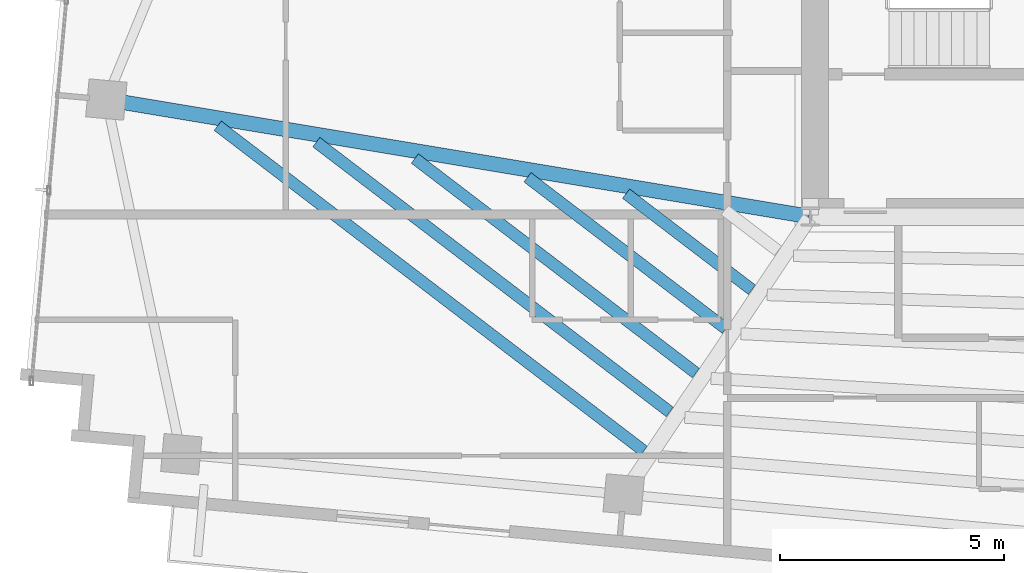
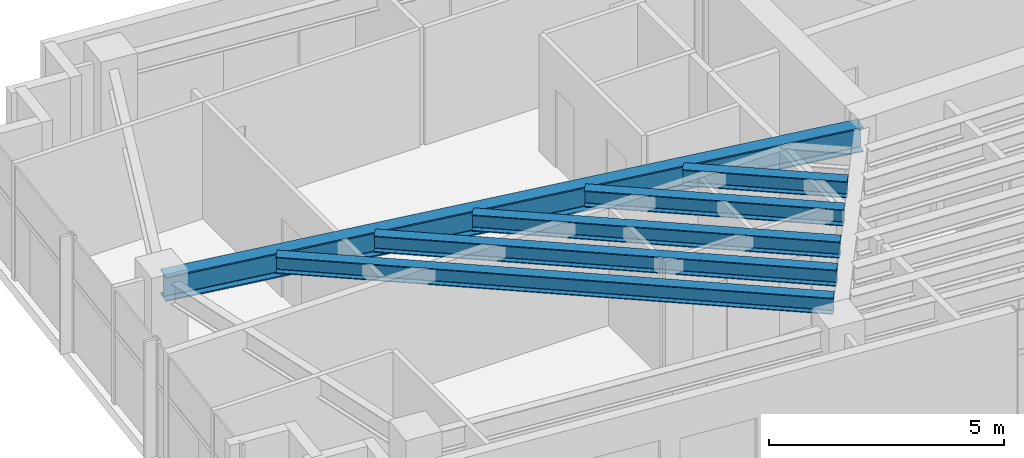
# One storey, part 5 of 22: 6 beams.
"""IFC4 building model written with IfcOpenShell, lengths in metres."""

from ifc_helpers import new_model, si_unit, direction, frame, origin, origin_2d, place, context, subcontext, project, spatial, i_section, extrude, source, transform, mapped, material, material_profile, profile_set, type_object, type_shapes, element, save


model = new_model("IFC4")

# Units and contexts
model_context = context("Model", 3, precision=1e-05, world=origin(), true_north=direction((0.0, 1.0)))
body_context = subcontext(model_context, "Body", "Model", "MODEL_VIEW")
ifc_project = project(units=[si_unit("LENGTHUNIT", "METRE"), si_unit("AREAUNIT", "SQUARE_METRE"), si_unit("VOLUMEUNIT", "CUBIC_METRE"), si_unit("PLANEANGLEUNIT", "RADIAN"), si_unit("MASSUNIT", "GRAM", prefix="KILO")], contexts=[model_context])

# Site, building, storey
site_placement = place(None, origin())
site = spatial("IfcSite", under=ifc_project, at=site_placement, CompositionType="ELEMENT")
building_placement = place(site_placement, origin())
building = spatial("IfcBuilding", under=site, at=building_placement, Name="Astriad Promenade Condominiums", CompositionType="ELEMENT")
storey_placement = place(building_placement, frame((0.0, 0.0, 223.199951171875)))
storey = spatial("IfcBuildingStorey", under=building, at=storey_placement, Name="L64", CompositionType="ELEMENT", Elevation=223.199951171875)

# Beams
ifc_material = material(Name="Steel ASTM A992 Grade 50", Category="steel")
ifc_material_profile_1 = material_profile(ifc_material, i_section(OverallWidth=0.327392578125, OverallDepth=0.640625, WebThickness=0.01904296875, FlangeThickness=0.033935546875, FilletRadius=0.017822265625, at=origin_2d()), Name="W24X176")
ifc_profile_set_1 = profile_set([ifc_material_profile_1], Name="Steel ASTM A992 Grade 50")
beam_type_1 = type_object("IfcBeamType", Name="STEEL FLOOR GIRDER W24X176", PredefinedType="BEAM", material=ifc_profile_set_1)
shared_shape_1 = source(origin(), body_context, "Body", "SweptSolid", [
    extrude(i_section(OverallWidth=0.327392578125, OverallDepth=0.640625, WebThickness=0.01904296875, FlangeThickness=0.033935546875, FilletRadius=0.017822265625, at=origin_2d()), origin(), (0.0, 0.0, 1.0), 15.824462890625),
])
type_shapes(beam_type_1, [shared_shape_1])
beam_1_placement = place(storey_placement, frame((10.750732421875, 20.003662109375, 2.7197265625), z_axis=(0.986439752668, -0.164123777548, 0.0), x_axis=(0.164123777548, 0.986439752668, 0.0)))
element("IfcBeam", 1, at=beam_1_placement, inside=storey, type_object=beam_type_1, Name="Primary Floor Girder PG-WM-L64", PredefinedType="BEAM", context=body_context, shape_type="MappedRepresentation", body=[
    mapped(shared_shape_1, transform((0.0, 0.0, 0.0), scale=1.0)),
])
ifc_material_profile_2 = material_profile(ifc_material, i_section(OverallWidth=0.26318359375, OverallDepth=0.425537109375, WebThickness=0.01318359375, FlangeThickness=0.022216796875, FilletRadius=0.013916015625, at=origin_2d()), Name="W16X89")
ifc_profile_set_2 = profile_set([ifc_material_profile_2], Name="Steel ASTM A992 Grade 50")
beam_type_2 = type_object("IfcBeamType", Name="STEEL FLOOR JOIST W16X89", PredefinedType="JOIST", material=ifc_profile_set_2)
shared_shape_2 = source(origin(), body_context, "Body", "SweptSolid", [
    extrude(i_section(OverallWidth=0.26318359375, OverallDepth=0.425537109375, WebThickness=0.01318359375, FlangeThickness=0.022216796875, FilletRadius=0.013916015625, at=origin_2d()), origin(), (0.0, 0.0, 1.0), 11.941162109375),
])
beam_2_placement = place(storey_placement, frame((13.193603515625, 19.426513671875, 2.827392578125), z_axis=(0.794872876153, -0.606775997182, 0.0), x_axis=(0.606775997182, 0.794872876153, 0.0)))
element("IfcBeam", 2, at=beam_2_placement, inside=storey, type_object=beam_type_2, Name="Secondary Composite Floor Joist JW1-1-L64", PredefinedType="JOIST", context=body_context, shape_type="MappedRepresentation", body=[
    mapped(shared_shape_2, transform((0.0, 0.0, 0.0), scale=1.0)),
])
shared_shape_3 = source(origin(), body_context, "Body", "SweptSolid", [
    extrude(i_section(OverallWidth=0.26318359375, OverallDepth=0.425537109375, WebThickness=0.01318359375, FlangeThickness=0.022216796875, FilletRadius=0.013916015625, at=origin_2d()), origin(), (0.0, 0.0, 1.0), 9.91015625),
])
beam_3_placement = place(storey_placement, frame((15.39013671875, 19.06103515625, 2.827392578125), z_axis=(0.794880580107, -0.606765904916, 0.0), x_axis=(0.606765904916, 0.794880580107, 0.0)))
element("IfcBeam", 3, at=beam_3_placement, inside=storey, type_object=beam_type_2, Name="Secondary Composite Floor Joist JW1-2-L64", PredefinedType="JOIST", context=body_context, shape_type="MappedRepresentation", body=[
    mapped(shared_shape_3, transform((0.0, 0.0, 0.0), scale=1.0)),
])
shared_shape_4 = source(origin(), body_context, "Body", "SweptSolid", [
    extrude(i_section(OverallWidth=0.26318359375, OverallDepth=0.425537109375, WebThickness=0.01318359375, FlangeThickness=0.022216796875, FilletRadius=0.013916015625, at=origin_2d()), origin(), (0.0, 0.0, 1.0), 7.8798828125),
])
beam_4_placement = place(storey_placement, frame((17.58642578125, 18.69580078125, 2.827392578125), z_axis=(0.794873774806, -0.60677481995, 0.0), x_axis=(0.60677481995, 0.794873774806, 0.0)))
element("IfcBeam", 4, at=beam_4_placement, inside=storey, type_object=beam_type_2, Name="Secondary Composite Floor Joist JW1-3-L64", PredefinedType="JOIST", context=body_context, shape_type="MappedRepresentation", body=[
    mapped(shared_shape_4, transform((0.0, 0.0, 0.0), scale=1.0)),
])
shared_shape_5 = source(origin(), body_context, "Body", "SweptSolid", [
    extrude(i_section(OverallWidth=0.26318359375, OverallDepth=0.425537109375, WebThickness=0.01318359375, FlangeThickness=0.022216796875, FilletRadius=0.013916015625, at=origin_2d()), origin(), (0.0, 0.0, 1.0), 5.55908203125),
])
beam_5_placement = place(storey_placement, frame((20.0966796875, 18.278076171875, 2.827392578125), z_axis=(0.794874877878, -0.606773374925, 0.0), x_axis=(0.606773374925, 0.794874877878, 0.0)))
element("IfcBeam", 5, at=beam_5_placement, inside=storey, type_object=beam_type_2, Name="Secondary Composite Floor Joist JW1-4-L64", PredefinedType="JOIST", context=body_context, shape_type="MappedRepresentation", body=[
    mapped(shared_shape_5, transform((0.0, 0.0, 0.0), scale=1.0)),
])
shared_shape_6 = source(origin(), body_context, "Body", "SweptSolid", [
    extrude(i_section(OverallWidth=0.26318359375, OverallDepth=0.425537109375, WebThickness=0.01318359375, FlangeThickness=0.022216796875, FilletRadius=0.013916015625, at=origin_2d()), origin(), (0.0, 0.0, 1.0), 3.5283203125),
])
type_shapes(beam_type_2, [shared_shape_2, shared_shape_3, shared_shape_4, shared_shape_5, shared_shape_6])
beam_6_placement = place(storey_placement, frame((22.293212890625, 17.91259765625, 2.827392578125), z_axis=(0.794864295135, -0.606787238099, 0.0), x_axis=(0.606787238099, 0.794864295135, 0.0)))
element("IfcBeam", 6, at=beam_6_placement, inside=storey, type_object=beam_type_2, Name="Secondary Composite Floor Joist JW1-5-L64", PredefinedType="JOIST", context=body_context, shape_type="MappedRepresentation", body=[
    mapped(shared_shape_6, transform((0.0, 0.0, 0.0), scale=1.0)),
])

save(model, "model.ifc")
